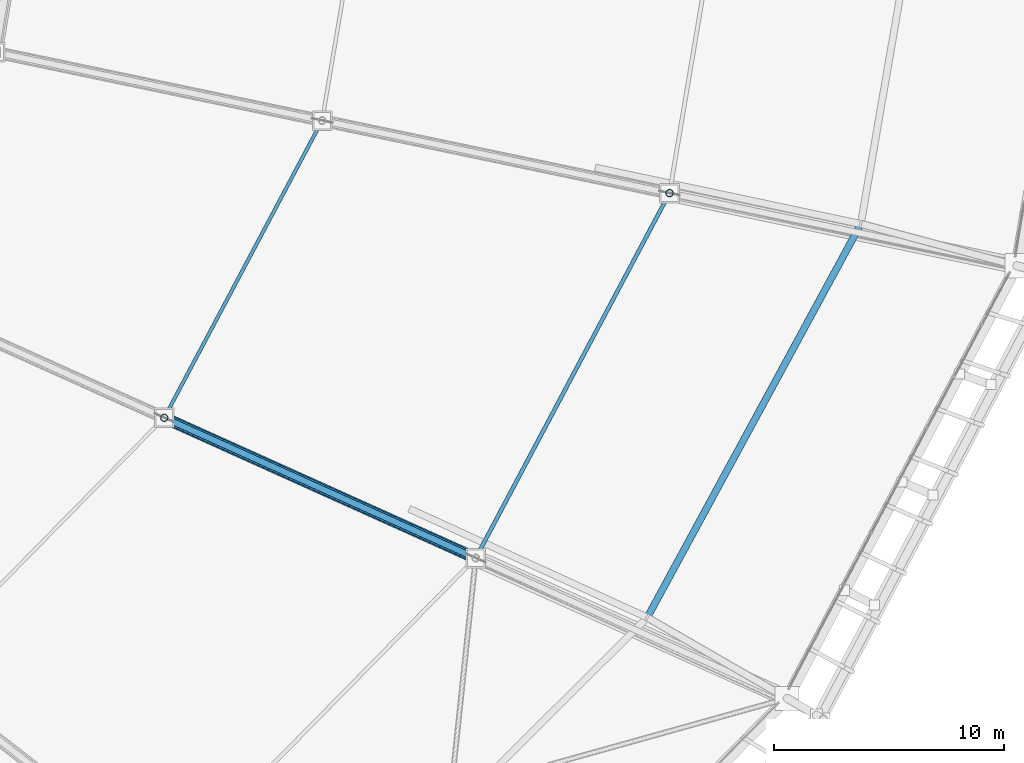
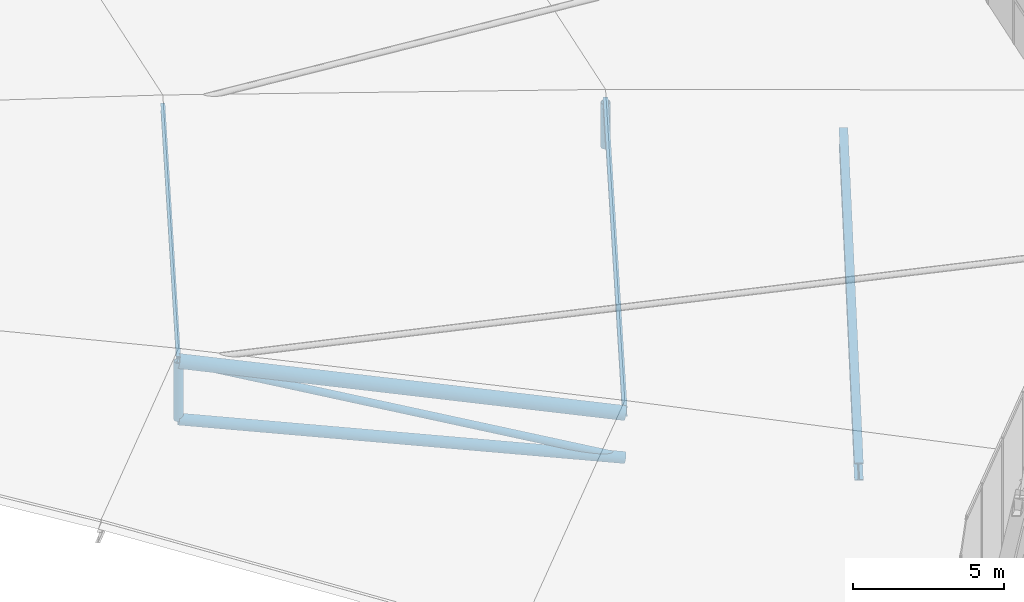
# One storey, part 46 of 115: 7 members, 1 beam.
"""IFC4 building model written with IfcOpenShell, lengths in metres."""

from ifc_helpers import new_model, si_unit, direction, frame, origin, origin_2d, place, context, subcontext, project, spatial, hollow_circle, i_section, extrude, material, material_profile, profile_set, type_object, element, save


model = new_model("IFC4")

# Units and contexts
model_context = context("Model", 3, precision=1e-05, world=origin(), true_north=direction((0.0, 1.0)))
body_context = subcontext(model_context, "Body", "Model", "MODEL_VIEW")
ifc_project = project(units=[si_unit("LENGTHUNIT", "METRE"), si_unit("AREAUNIT", "SQUARE_METRE"), si_unit("VOLUMEUNIT", "CUBIC_METRE"), si_unit("PLANEANGLEUNIT", "RADIAN"), si_unit("MASSUNIT", "GRAM", prefix="KILO")], contexts=[model_context])

# Site, building, storey
site_placement = place(None, origin())
site = spatial("IfcSite", under=ifc_project, at=site_placement, CompositionType="ELEMENT")
building_placement = place(site_placement, origin())
building = spatial("IfcBuilding", under=site, at=building_placement, Name="Zlatoyarsky Gate Stadium", CompositionType="ELEMENT")
storey_placement = place(building_placement, frame((0.0, 0.0, 31.800048828125)))
storey = spatial("IfcBuildingStorey", under=building, at=storey_placement, Name="RF", CompositionType="ELEMENT", Elevation=31.800048828125)

# Members
ifc_material = material(Name="Steel S355", Category="steel")
ifc_material_profile_1 = material_profile(ifc_material, hollow_circle(Radius=0.203125, WallThickness=0.02001953125, at=origin_2d()), Name="CHS 406.4X20")
ifc_profile_set_1 = profile_set([ifc_material_profile_1], Name="Steel S355")
member_type_1 = type_object("IfcMemberType", Name="STEEL ARCH INNER CHORD CHS 406.4X20", PredefinedType="CHORD", material=ifc_profile_set_1)
member_1_placement = place(storey_placement, frame((184.078125, 47.087890625, 1.349853515625), z_axis=(-0.898147365371, 0.404501335329, 0.172365831283), x_axis=(-0.410647494478, -0.911794184714, 0.0)))
element("IfcMember", 1, at=member_1_placement, inside=storey, type_object=member_type_1, Name="Radial truss R23 bottom chord 2", PredefinedType="CHORD", context=body_context, shape_type="SweptSolid", body=[
    extrude(hollow_circle(Radius=0.203125, WallThickness=0.02001953125, at=origin_2d()), origin(), (0.0, 0.0, 1.0), 15.084716796875),
])
ifc_material_profile_2 = material_profile(ifc_material, hollow_circle(Radius=0.25390625, WallThickness=0.02490234375, at=origin_2d()), Name="CHS 508X25")
ifc_profile_set_2 = profile_set([ifc_material_profile_2], Name="Steel S355")
member_type_2 = type_object("IfcMemberType", Name="STEEL ARCH TOP CHORD CHS 508X25", PredefinedType="CHORD", material=ifc_profile_set_2)
member_2_placement = place(storey_placement, frame((184.078125, 47.087890625, 3.14990234375), z_axis=(-0.891969630236, 0.40171905014, 0.207393306284), x_axis=(-0.410647494478, -0.911794184714, 0.0)))
element("IfcMember", 2, at=member_2_placement, inside=storey, type_object=member_type_2, Name="Radial truss R23 top chord 2", PredefinedType="CHORD", context=body_context, shape_type="SweptSolid", body=[
    extrude(hollow_circle(Radius=0.25390625, WallThickness=0.02490234375, at=origin_2d()), origin(), (0.0, 0.0, 1.0), 15.189208984375),
])
ifc_material_profile_3 = material_profile(ifc_material, i_section(OverallWidth=0.14990234375, OverallDepth=0.300048828125, WebThickness=0.007080078125, FlangeThickness=0.0107421875, FilletRadius=0.014892578125, at=origin_2d()), Name="IPE 300")
ifc_profile_set_3 = profile_set([ifc_material_profile_3], Name="Steel S355")
member_type_3 = type_object("IfcMemberType", Name="STEEL BOWL ROOF PURLIN IPE 300", PredefinedType="PURLIN", material=ifc_profile_set_3)
member_3_placement = place(storey_placement, frame((170.52978515625, 53.189697265625, 6.329833984375), z_axis=(0.468975198418, 0.883211335564, 0.0), x_axis=(-0.883211335564, 0.468975198418, 0.0)))
element("IfcMember", 3, at=member_3_placement, inside=storey, type_object=member_type_3, Name="Stadium roof purlin 22.2", PredefinedType="PURLIN", context=body_context, shape_type="SweptSolid", body=[
    extrude(i_section(OverallWidth=0.14990234375, OverallDepth=0.300048828125, WebThickness=0.007080078125, FlangeThickness=0.0107421875, FilletRadius=0.014892578125, at=origin_2d()), origin(), (0.0, 0.0, 1.0), 14.642333984375),
])
ifc_material_profile_4 = material_profile(ifc_material, i_section(OverallWidth=0.169921875, OverallDepth=0.360107421875, WebThickness=0.008056640625, FlangeThickness=0.0126953125, FilletRadius=0.01806640625, at=origin_2d()), Name="IPE 360")
ifc_profile_set_4 = profile_set([ifc_material_profile_4], Name="Steel S355")
member_type_4 = type_object("IfcMemberType", Name="STEEL LONG SPAN PURLIN IPE 360", PredefinedType="PURLIN", material=ifc_profile_set_4)
member_4_placement = place(storey_placement, frame((184.078125, 47.087890625, 3.179931640625), z_axis=(0.46898507061, 0.883206093471, 0.0), x_axis=(-0.883206093471, 0.46898507061, 0.0)))
element("IfcMember", 4, at=member_4_placement, inside=storey, type_object=member_type_4, Name="Stadium roof purlin 22.1", PredefinedType="PURLIN", context=body_context, shape_type="SweptSolid", body=[
    extrude(i_section(OverallWidth=0.169921875, OverallDepth=0.360107421875, WebThickness=0.008056640625, FlangeThickness=0.0126953125, FilletRadius=0.01806640625, at=origin_2d()), origin(), (0.0, 0.0, 1.0), 17.974853515625),
])

# Beam
ifc_material_profile_5 = material_profile(ifc_material, i_section(OverallWidth=0.300048828125, OverallDepth=0.699951171875, WebThickness=0.01708984375, FlangeThickness=0.031982421875, FilletRadius=0.027099609375, at=origin_2d()), Name="HEB 700")
ifc_profile_set_5 = profile_set([ifc_material_profile_5], Name="Steel S355")
beam_type = type_object("IfcBeamType", Name="STEEL ROOF RING GIRDER HEB 700", PredefinedType="BEAM", material=ifc_profile_set_5)
beam_placement = place(storey_placement, frame((191.5595703125, 44.53515625, -0.300048828125), z_axis=(0.476886635343, 0.878964809894, 0.0), x_axis=(-0.878964809894, 0.476886635343, 0.0)))
element("IfcBeam", 5, at=beam_placement, inside=storey, type_object=beam_type, Name="RF roof tie girder BM-RF-CRC-22", PredefinedType="BEAM", context=body_context, shape_type="SweptSolid", body=[
    extrude(i_section(OverallWidth=0.300048828125, OverallDepth=0.699951171875, WebThickness=0.01708984375, FlangeThickness=0.031982421875, FilletRadius=0.027099609375, at=origin_2d()), origin(), (0.0, 0.0, 1.0), 19.40185546875),
])

# Members
ifc_material_profile_6 = material_profile(ifc_material, hollow_circle(Radius=0.136474609375, WallThickness=0.01611328125, at=origin_2d()), Name="CHS 273X16")
ifc_profile_set_6 = profile_set([ifc_material_profile_6], Name="Steel S355")
member_type_5 = type_object("IfcMemberType", Name="STEEL ROOF TRUSS DIAGONAL CHS 273X16", PredefinedType="BRACE", material=ifc_profile_set_6)
member_5_placement = place(storey_placement, frame((184.078125, 47.087890625, 1.349853515625), z_axis=(-0.865052822884, 0.389596446505, 0.316066800678), x_axis=(-0.410647494478, -0.911794184714, 0.0)))
element("IfcMember", 6, at=member_5_placement, inside=storey, type_object=member_type_5, Name="Radial truss R23 web diagonal 2", PredefinedType="BRACE", context=body_context, shape_type="SweptSolid", body=[
    extrude(hollow_circle(Radius=0.136474609375, WallThickness=0.01611328125, at=origin_2d()), origin(), (0.0, 0.0, 1.0), 15.661865234375),
])
ifc_material_profile_7 = material_profile(ifc_material, hollow_circle(Radius=0.161865234375, WallThickness=0.01611328125, at=origin_2d()), Name="CHS 323.9X16")
ifc_profile_set_7 = profile_set([ifc_material_profile_7], Name="Steel S355")
member_type_6 = type_object("IfcMemberType", Name="STEEL TRUSS WEB STRUT CHS 323.9X16", PredefinedType="STRUT", material=ifc_profile_set_7)
member_6_placement = place(storey_placement, frame((170.52978515625, 53.189697265625, 3.949951171875), z_axis=(0.0, 0.0, 1.0), x_axis=(1.0, 0.0, 0.0)))
element("IfcMember", 7, at=member_6_placement, inside=storey, type_object=member_type_6, Name="Radial truss R23 web strut 2", PredefinedType="STRUT", context=body_context, shape_type="SweptSolid", body=[
    extrude(hollow_circle(Radius=0.161865234375, WallThickness=0.01611328125, at=origin_2d()), origin(), (0.0, 0.0, 1.0), 2.35009765625),
])
member_7_placement = place(storey_placement, frame((192.508056640625, 62.96337890625, 1.349853515625), z_axis=(0.0, 0.0, 1.0), x_axis=(1.0, 0.0, 0.0)))
element("IfcMember", 8, at=member_7_placement, inside=storey, type_object=member_type_6, Name="Radial truss R24 web strut 1", PredefinedType="STRUT", context=body_context, shape_type="SweptSolid", body=[
    extrude(hollow_circle(Radius=0.161865234375, WallThickness=0.01611328125, at=origin_2d()), origin(), (0.0, 0.0, 1.0), 1.800048828125),
])

save(model, "model.ifc")
